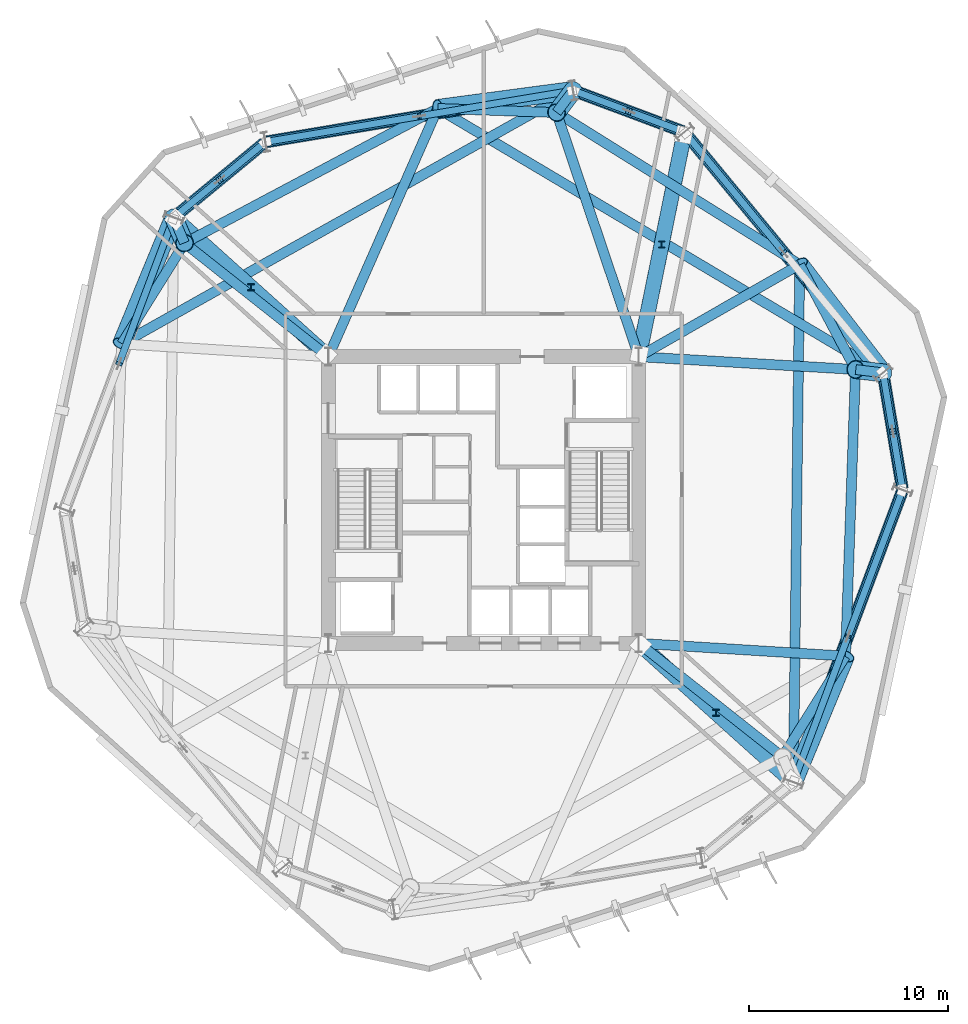
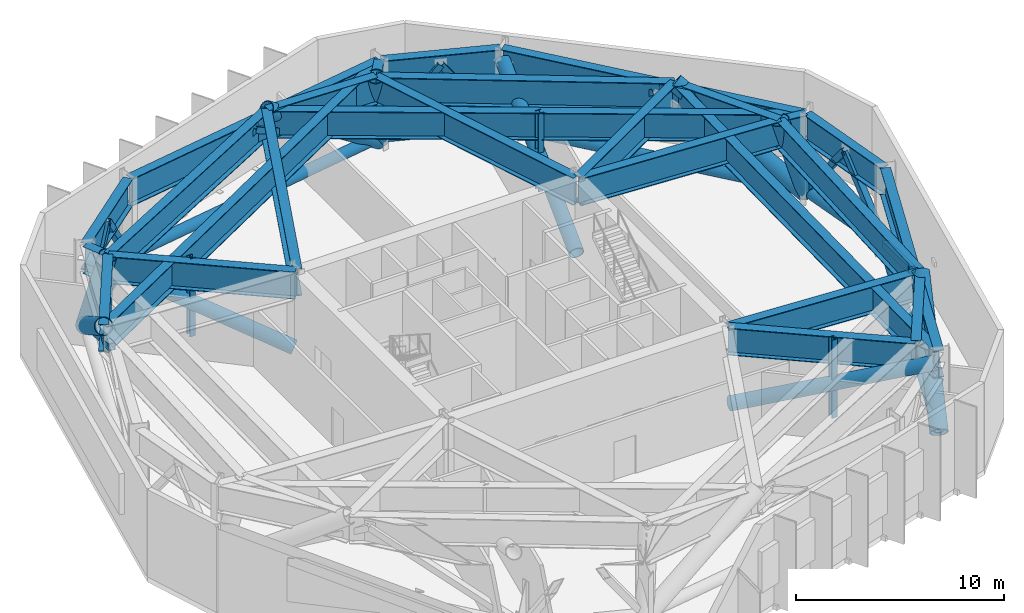
# One storey, part 2 of 12: 31 members, 26 beams.
"""IFC4 building model written with IfcOpenShell, lengths in metres."""

from ifc_helpers import new_model, si_unit, direction, frame, origin, origin_2d, place, context, subcontext, project, spatial, hollow_rectangle, hollow_circle, i_section, extrude, material, material_profile, profile_set, type_object, element, save


model = new_model("IFC4")

# Units and contexts
model_context = context("Model", 3, precision=1e-05, world=origin(), true_north=direction((0.0, 1.0)))
body_context = subcontext(model_context, "Body", "Model", "MODEL_VIEW")
ifc_project = project(units=[si_unit("LENGTHUNIT", "METRE"), si_unit("AREAUNIT", "SQUARE_METRE"), si_unit("VOLUMEUNIT", "CUBIC_METRE"), si_unit("PLANEANGLEUNIT", "RADIAN"), si_unit("MASSUNIT", "GRAM", prefix="KILO")], contexts=[model_context])

# Site, building, storey
site_placement = place(None, origin())
site = spatial("IfcSite", under=ifc_project, at=site_placement, CompositionType="ELEMENT")
building_placement = place(site_placement, origin())
building = spatial("IfcBuilding", under=site, at=building_placement, Name="Kranzbogen Civic Tower", CompositionType="ELEMENT")
storey_placement = place(building_placement, frame((0.0, 0.0, 92.0)))
storey = spatial("IfcBuildingStorey", under=building, at=storey_placement, Name="L22", CompositionType="ELEMENT", Elevation=92.0)

# Members
ifc_material_1 = material(Name="Steel S355", Category="steel")
ifc_material_profile_1 = material_profile(ifc_material_1, hollow_circle(Radius=0.304931640625, WallThickness=0.030029296875, at=origin_2d()), Name="CHS 610x30")
ifc_profile_set_1 = profile_set([ifc_material_profile_1], Name="Steel S355")
member_type_1 = type_object("IfcMemberType", Name="Belt Truss Bottom Chord CHS 610x30", PredefinedType="CHORD", material=ifc_profile_set_1)
member_1_placement = place(storey_placement, frame((40.594970703125, 10.885986328125, 0.550048828125), z_axis=(0.350190480127, 0.936678508149, 0.0), x_axis=(-0.936678508149, 0.350190480127, 0.0)))
element("IfcMember", 1, at=member_1_placement, inside=storey, type_object=member_type_1, Name="RNG-1: L22 belt truss bottom chord 06", PredefinedType="CHORD", context=body_context, shape_type="SweptSolid", body=[
    extrude(hollow_circle(Radius=0.304931640625, WallThickness=0.030029296875, at=origin_2d()), origin(), (0.0, 0.0, 1.0), 15.517578125),
])
member_2_placement = place(storey_placement, frame((46.0439453125, 25.574951171875, 0.550048828125), z_axis=(-0.165012062513, 0.986291548795, 0.0), x_axis=(-0.986291548795, -0.165012062513, 0.0)))
element("IfcMember", 2, at=member_2_placement, inside=storey, type_object=member_type_1, Name="RNG-1: L22 belt truss bottom chord 07", PredefinedType="CHORD", context=body_context, shape_type="SweptSolid", body=[
    extrude(hollow_circle(Radius=0.304931640625, WallThickness=0.030029296875, at=origin_2d()), origin(), (0.0, 0.0, 1.0), 5.8115234375),
])
member_3_placement = place(storey_placement, frame((45.02099609375, 31.447998046875, 0.550048828125), z_axis=(-0.636093185321, 0.771612246914, 0.0), x_axis=(-0.771612246914, -0.636093185321, 0.0)))
element("IfcMember", 3, at=member_3_placement, inside=storey, type_object=member_type_1, Name="RNG-1: L22 belt truss bottom chord 08", PredefinedType="CHORD", context=body_context, shape_type="SweptSolid", body=[
    extrude(hollow_circle(Radius=0.304931640625, WallThickness=0.030029296875, at=origin_2d()), origin(), (0.0, 0.0, 1.0), 15.518310546875),
])
member_4_placement = place(storey_placement, frame((35.02392578125, 43.511962890625, 0.550048828125), z_axis=(-0.936629200045, 0.350322339599, 0.0), x_axis=(-0.350322339599, -0.936629200045, 0.0)))
element("IfcMember", 4, at=member_4_placement, inside=storey, type_object=member_type_1, Name="RNG-1: L22 belt truss bottom chord 09", PredefinedType="CHORD", context=body_context, shape_type="SweptSolid", body=[
    extrude(hollow_circle(Radius=0.304931640625, WallThickness=0.030029296875, at=origin_2d()), origin(), (0.0, 0.0, 1.0), 5.812255859375),
])
member_5_placement = place(storey_placement, frame((29.426025390625, 45.56298828125, 0.550048828125), z_axis=(-0.986276740958, -0.165100545863, 0.0), x_axis=(0.165100545863, -0.986276740958, 0.0)))
element("IfcMember", 5, at=member_5_placement, inside=storey, type_object=member_type_1, Name="RNG-1: L22 belt truss bottom chord 10", PredefinedType="CHORD", context=body_context, shape_type="SweptSolid", body=[
    extrude(hollow_circle(Radius=0.304931640625, WallThickness=0.030029296875, at=origin_2d()), origin(), (0.0, 0.0, 1.0), 15.517822265625),
])
member_6_placement = place(storey_placement, frame((13.97998046875, 42.93701171875, 0.550048828125), z_axis=(-0.771625808158, -0.636076734509, 0.0), x_axis=(0.636076734509, -0.771625808158, 0.0)))
element("IfcMember", 6, at=member_6_placement, inside=storey, type_object=member_type_1, Name="RNG-1: L22 belt truss bottom chord 11", PredefinedType="CHORD", context=body_context, shape_type="SweptSolid", body=[
    extrude(hollow_circle(Radius=0.304931640625, WallThickness=0.030029296875, at=origin_2d()), origin(), (0.0, 0.0, 1.0), 5.812255859375),
])
ifc_material_2 = material(Name="Steel S460", Category="steel")
ifc_material_profile_2 = material_profile(ifc_material_2, hollow_circle(Radius=0.381103515625, WallThickness=0.031982421875, at=origin_2d()), Name="CHS 762x32")
ifc_profile_set_2 = profile_set([ifc_material_profile_2], Name="Steel S460")
member_type_2 = type_object("IfcMemberType", Name="Outrigger Truss Chord CHS 762x32", PredefinedType="CHORD", material=ifc_profile_set_2)
member_7_placement = place(storey_placement, frame((32.912109375, 17.699951171875, 0.550048828125), z_axis=(0.694036652822, -0.624668929365, 0.357913192304), x_axis=(0.668985997489, 0.743275006416, 0.0)))
element("IfcMember", 7, at=member_7_placement, inside=storey, type_object=member_type_2, Name="OUT-1: L22 radial outrigger strut 2", PredefinedType="CHORD", context=body_context, shape_type="SweptSolid", body=[
    extrude(hollow_circle(Radius=0.381103515625, WallThickness=0.031982421875, at=origin_2d()), origin(), (0.0, 0.0, 1.0), 10.8681640625),
])
member_8_placement = place(storey_placement, frame((32.830078125, 32.346923828125, 0.550048828125), z_axis=(0.188609582303, 0.925772581764, 0.327675986788), x_axis=(-0.979871108222, 0.199631188126, 0.0)))
element("IfcMember", 8, at=member_8_placement, inside=storey, type_object=member_type_2, Name="OUT-1: L22 radial outrigger strut 3", PredefinedType="CHORD", context=body_context, shape_type="SweptSolid", body=[
    extrude(hollow_circle(Radius=0.381103515625, WallThickness=0.031982421875, at=origin_2d()), origin(), (0.0, 0.0, 1.0), 11.87109375),
])
member_9_placement = place(storey_placement, frame((17.087890625, 32.300048828125, 0.550048828125), z_axis=(-0.694036652822, 0.624668929365, 0.357913192304), x_axis=(-0.668985997489, -0.743275006416, 0.0)))
element("IfcMember", 9, at=member_9_placement, inside=storey, type_object=member_type_2, Name="OUT-1: L22 radial outrigger strut 4", PredefinedType="CHORD", context=body_context, shape_type="SweptSolid", body=[
    extrude(hollow_circle(Radius=0.381103515625, WallThickness=0.031982421875, at=origin_2d()), origin(), (0.0, 0.0, 1.0), 10.8681640625),
])
ifc_material_profile_3 = material_profile(ifc_material_1, i_section(OverallWidth=0.31005859375, OverallDepth=0.340087890625, WebThickness=0.02099609375, FlangeThickness=0.0390625, at=origin_2d()), Name="HEM 300")
ifc_profile_set_3 = profile_set([ifc_material_profile_3], Name="Steel S355")
member_type_3 = type_object("IfcMemberType", Name="Outrigger Truss Vertical Post HEM 300", PredefinedType="POST", material=ifc_profile_set_3)
for number, where, z_axis, x_axis, name in (
    (10, (36.68310546875, 14.304931640625, 0.550048828125), (0.0, 0.0, 1.0), (1.0, 0.0, 0.0), "PST-3: L22 outrigger web post 2"),
    (11, (33.949951171875, 37.842041015625, 0.550048828125), (0.0, 0.0, 1.0), (1.0, 0.0, 0.0), "PST-3: L22 outrigger web post 3"),
    (12, (13.31689453125, 35.694091796875, 0.550048828125), (0.0, 0.0, 1.0), (1.0, 0.0, 0.0), "PST-3: L22 outrigger web post 4"),
):
    element("IfcMember", number, at=place(storey_placement, frame(where, z_axis=z_axis, x_axis=x_axis)), inside=storey, type_object=member_type_3, Name=name, PredefinedType="POST", context=body_context, shape_type="SweptSolid", body=[
        extrude(i_section(OverallWidth=0.31005859375, OverallDepth=0.340087890625, WebThickness=0.02099609375, FlangeThickness=0.0390625, at=origin_2d()), origin(), (0.0, 0.0, 1.0), 4.58984375),
    ])
ifc_material_profile_4 = material_profile(ifc_material_2, hollow_circle(Radius=0.45703125, WallThickness=0.035888671875, at=origin_2d()), Name="CHS 914x36")
ifc_profile_set_4 = profile_set([ifc_material_profile_4], Name="Steel S460")
member_type_4 = type_object("IfcMemberType", Name="Portal Arch Thrust Strut CHS 914x36", PredefinedType="STRUT", material=ifc_profile_set_4)
member_10_placement = place(storey_placement, frame((40.56689453125, 10.81103515625, 0.35009765625), z_axis=(0.315152900867, 0.763185682132, 0.564115470151), x_axis=(-0.924293886628, 0.381681557247, 0.0)))
element("IfcMember", 13, at=member_10_placement, inside=storey, type_object=member_type_4, Name="STR-1: L22 inclined perimeter transfer strut 06", PredefinedType="STRUT", context=body_context, shape_type="SweptSolid", body=[
    extrude(hollow_circle(Radius=0.45703125, WallThickness=0.035888671875, at=origin_2d()), origin(), (0.0, 0.0, 1.0), 8.313720703125),
])
member_11_placement = place(storey_placement, frame((45.072021484375, 31.385986328125, 0.35009765625), z_axis=(-0.282501266779, 0.034732535184, 0.958637932312), x_axis=(-0.122027659988, -0.992526699992, 0.0)))
element("IfcMember", 14, at=member_11_placement, inside=storey, type_object=member_type_4, Name="STR-1: L22 inclined perimeter transfer strut 07", PredefinedType="STRUT", context=body_context, shape_type="SweptSolid", body=[
    extrude(hollow_circle(Radius=0.45703125, WallThickness=0.035888671875, at=origin_2d()), origin(), (0.0, 0.0, 1.0), 4.892333984375),
])
member_12_placement = place(storey_placement, frame((45.072021484375, 31.385986328125, 0.35009765625), z_axis=(-0.503407307843, 0.654582172423, 0.564006437867), x_axis=(-0.792692714402, -0.609621407542, 0.0)))
element("IfcMember", 15, at=member_12_placement, inside=storey, type_object=member_type_4, Name="STR-1: L22 inclined perimeter transfer strut 08", PredefinedType="STRUT", context=body_context, shape_type="SweptSolid", body=[
    extrude(hollow_circle(Radius=0.45703125, WallThickness=0.035888671875, at=origin_2d()), origin(), (0.0, 0.0, 1.0), 8.3154296875),
])
member_13_placement = place(storey_placement, frame((29.5048828125, 45.575927734375, 0.35009765625), z_axis=(-0.171076500815, -0.227270240582, 0.958687158887), x_axis=(0.798946138896, -0.601402583253, 0.0)))
element("IfcMember", 16, at=member_13_placement, inside=storey, type_object=member_type_4, Name="STR-1: L22 inclined perimeter transfer strut 09", PredefinedType="STRUT", context=body_context, shape_type="SweptSolid", body=[
    extrude(hollow_circle(Radius=0.45703125, WallThickness=0.035888671875, at=origin_2d()), origin(), (0.0, 0.0, 1.0), 4.89208984375),
])
member_14_placement = place(storey_placement, frame((29.5048828125, 45.575927734375, 0.35009765625), z_axis=(-0.818547699312, -0.108701208267, 0.564060024529), x_axis=(0.131641952697, -0.991297329912, 0.0)))
element("IfcMember", 17, at=member_14_placement, inside=storey, type_object=member_type_4, Name="STR-1: L22 inclined perimeter transfer strut 10", PredefinedType="STRUT", context=body_context, shape_type="SweptSolid", body=[
    extrude(hollow_circle(Radius=0.45703125, WallThickness=0.035888671875, at=origin_2d()), origin(), (0.0, 0.0, 1.0), 8.314697265625),
])
member_15_placement = place(storey_placement, frame((9.43310546875, 39.18896484375, 0.35009765625), z_axis=(0.111189066911, -0.261853246894, 0.958681317483), x_axis=(0.920455591594, 0.39084716182, 0.0)))
element("IfcMember", 18, at=member_15_placement, inside=storey, type_object=member_type_4, Name="STR-1: L22 inclined perimeter transfer strut 11", PredefinedType="STRUT", context=body_context, shape_type="SweptSolid", body=[
    extrude(hollow_circle(Radius=0.45703125, WallThickness=0.035888671875, at=origin_2d()), origin(), (0.0, 0.0, 1.0), 4.89208984375),
])
member_16_placement = place(storey_placement, frame((9.43310546875, 39.18896484375, 0.35009765625), z_axis=(-0.315152900867, -0.763185682132, 0.564115470151), x_axis=(0.924293886628, -0.381681557247, 0.0)))
element("IfcMember", 19, at=member_16_placement, inside=storey, type_object=member_type_4, Name="STR-1: L22 inclined perimeter transfer strut 12", PredefinedType="STRUT", context=body_context, shape_type="SweptSolid", body=[
    extrude(hollow_circle(Radius=0.45703125, WallThickness=0.035888671875, at=origin_2d()), origin(), (0.0, 0.0, 1.0), 8.313720703125),
])

# Beams
ifc_material_profile_5 = material_profile(ifc_material_2, i_section(OverallWidth=0.5, OverallDepth=1.60009765625, WebThickness=0.02587890625, FlangeThickness=0.0400390625, at=origin_2d()), Name="WPG 1600x500x26x40")
ifc_profile_set_5 = profile_set([ifc_material_profile_5], Name="Steel S460")
beam_type = type_object("IfcBeamType", Name="Welded Transfer Girder WPG 1600x500x26x40", PredefinedType="BEAM", material=ifc_profile_set_5)
beam_1_placement = place(storey_placement, frame((40.587890625, 10.866943359375, 4.330078125), z_axis=(0.350172267932, 0.936685316833, 0.0), x_axis=(-0.936685316833, 0.350172267932, 0.0)))
element("IfcBeam", 20, at=beam_1_placement, inside=storey, type_object=beam_type, Name="TG-1600: L22 lower perimeter transfer ring girder 06", PredefinedType="BEAM", context=body_context, shape_type="SweptSolid", body=[
    extrude(i_section(OverallWidth=0.5, OverallDepth=1.60009765625, WebThickness=0.02587890625, FlangeThickness=0.0400390625, at=origin_2d()), origin(), (0.0, 0.0, 1.0), 15.55810546875),
])
beam_2_placement = place(storey_placement, frame((46.047119140625, 25.554931640625, 4.330078125), z_axis=(-0.164913116942, 0.986308097838, 0.0), x_axis=(-0.986308097838, -0.164913116942, 0.0)))
element("IfcBeam", 21, at=beam_2_placement, inside=storey, type_object=beam_type, Name="TG-1600: L22 lower perimeter transfer ring girder 07", PredefinedType="BEAM", context=body_context, shape_type="SweptSolid", body=[
    extrude(i_section(OverallWidth=0.5, OverallDepth=1.60009765625, WebThickness=0.02587890625, FlangeThickness=0.0400390625, at=origin_2d()), origin(), (0.0, 0.0, 1.0), 5.85205078125),
])
beam_3_placement = place(storey_placement, frame((45.033935546875, 31.431884765625, 4.330078125), z_axis=(-0.636074572579, 0.771627590304, 0.0), x_axis=(-0.771627590304, -0.636074572579, 0.0)))
element("IfcBeam", 22, at=beam_3_placement, inside=storey, type_object=beam_type, Name="TG-1600: L22 lower perimeter transfer ring girder 08", PredefinedType="BEAM", context=body_context, shape_type="SweptSolid", body=[
    extrude(i_section(OverallWidth=0.5, OverallDepth=1.60009765625, WebThickness=0.02587890625, FlangeThickness=0.0400390625, at=origin_2d()), origin(), (0.0, 0.0, 1.0), 15.5595703125),
])
beam_4_placement = place(storey_placement, frame((35.04296875, 43.5048828125, 4.330078125), z_axis=(-0.936647646965, 0.350273015568, 0.0), x_axis=(-0.350273015568, -0.936647646965, 0.0)))
element("IfcBeam", 23, at=beam_4_placement, inside=storey, type_object=beam_type, Name="TG-1600: L22 lower perimeter transfer ring girder 09", PredefinedType="BEAM", context=body_context, shape_type="SweptSolid", body=[
    extrude(i_section(OverallWidth=0.5, OverallDepth=1.60009765625, WebThickness=0.02587890625, FlangeThickness=0.0400390625, at=origin_2d()), origin(), (0.0, 0.0, 1.0), 5.852783203125),
])
beam_5_placement = place(storey_placement, frame((29.446044921875, 45.56591796875, 4.330078125), z_axis=(-0.986285563243, -0.165047834697, 0.0), x_axis=(0.165047834697, -0.986285563243, 0.0)))
element("IfcBeam", 24, at=beam_5_placement, inside=storey, type_object=beam_type, Name="TG-1600: L22 lower perimeter transfer ring girder 10", PredefinedType="BEAM", context=body_context, shape_type="SweptSolid", body=[
    extrude(i_section(OverallWidth=0.5, OverallDepth=1.60009765625, WebThickness=0.02587890625, FlangeThickness=0.0400390625, at=origin_2d()), origin(), (0.0, 0.0, 1.0), 15.558349609375),
])
beam_6_placement = place(storey_placement, frame((13.99609375, 42.949951171875, 4.330078125), z_axis=(-0.77168336865, -0.636006901337, 0.0), x_axis=(0.636006901337, -0.77168336865, 0.0)))
element("IfcBeam", 25, at=beam_6_placement, inside=storey, type_object=beam_type, Name="TG-1600: L22 lower perimeter transfer ring girder 11", PredefinedType="BEAM", context=body_context, shape_type="SweptSolid", body=[
    extrude(i_section(OverallWidth=0.5, OverallDepth=1.60009765625, WebThickness=0.02587890625, FlangeThickness=0.0400390625, at=origin_2d()), origin(), (0.0, 0.0, 1.0), 5.853515625),
])
beam_7_placement = place(storey_placement, frame((40.031005859375, 12.10498046875, 4.340087890625), z_axis=(0.529895502713, 0.848062943539, 0.0), x_axis=(-0.848062943539, 0.529895502713, 0.0)))
element("IfcBeam", 26, at=beam_7_placement, inside=storey, type_object=beam_type, Name="TG-1600: L22 upper perimeter transfer ring girder 05", PredefinedType="BEAM", context=body_context, shape_type="SweptSolid", body=[
    extrude(i_section(OverallWidth=0.5, OverallDepth=1.60009765625, WebThickness=0.02587890625, FlangeThickness=0.0400390625, at=origin_2d()), origin(), (0.0, 0.0, 1.0), 5.940673828125),
])
beam_8_placement = place(storey_placement, frame((43.18798828125, 17.1708984375, 4.340087890625), z_axis=(0.034841218987, 0.999392860421, 0.0), x_axis=(-0.999392860421, 0.034841218987, 0.0)))
element("IfcBeam", 27, at=beam_8_placement, inside=storey, type_object=beam_type, Name="TG-1600: L22 upper perimeter transfer ring girder 06", PredefinedType="BEAM", context=body_context, shape_type="SweptSolid", body=[
    extrude(i_section(OverallWidth=0.5, OverallDepth=1.60009765625, WebThickness=0.02587890625, FlangeThickness=0.0400390625, at=origin_2d()), origin(), (0.0, 0.0, 1.0), 14.37890625),
])
beam_9_placement = place(storey_placement, frame((43.68310546875, 31.569091796875, 4.340087890625), z_axis=(-0.46950463544, 0.882930007022, 0.0), x_axis=(-0.882930007022, -0.46950463544, 0.0)))
element("IfcBeam", 28, at=beam_9_placement, inside=storey, type_object=beam_type, Name="TG-1600: L22 upper perimeter transfer ring girder 07", PredefinedType="BEAM", context=body_context, shape_type="SweptSolid", body=[
    extrude(i_section(OverallWidth=0.5, OverallDepth=1.60009765625, WebThickness=0.02587890625, FlangeThickness=0.0400390625, at=origin_2d()), origin(), (0.0, 0.0, 1.0), 5.942626953125),
])
beam_10_placement = place(storey_placement, frame((40.873046875, 36.8369140625, 4.340087890625), z_axis=(-0.848027876815, 0.52995162057, 0.0), x_axis=(-0.52995162057, -0.848027876815, 0.0)))
element("IfcBeam", 29, at=beam_10_placement, inside=storey, type_object=beam_type, Name="TG-1600: L22 upper perimeter transfer ring girder 08", PredefinedType="BEAM", context=body_context, shape_type="SweptSolid", body=[
    extrude(i_section(OverallWidth=0.5, OverallDepth=1.60009765625, WebThickness=0.02587890625, FlangeThickness=0.0400390625, at=origin_2d()), origin(), (0.0, 0.0, 1.0), 14.376953125),
])
beam_11_placement = place(storey_placement, frame((28.653076171875, 44.465087890625, 4.340087890625), z_axis=(-0.999400080747, 0.034633489602, 0.0), x_axis=(-0.034633489602, -0.999400080747, 0.0)))
element("IfcBeam", 30, at=beam_11_placement, inside=storey, type_object=beam_type, Name="TG-1600: L22 upper perimeter transfer ring girder 09", PredefinedType="BEAM", context=body_context, shape_type="SweptSolid", body=[
    extrude(i_section(OverallWidth=0.5, OverallDepth=1.60009765625, WebThickness=0.02587890625, FlangeThickness=0.0400390625, at=origin_2d()), origin(), (0.0, 0.0, 1.0), 5.942626953125),
])
beam_12_placement = place(storey_placement, frame((22.68603515625, 44.6650390625, 4.340087890625), z_axis=(-0.882965086127, -0.469438661255, 0.0), x_axis=(0.469438661255, -0.882965086127, 0.0)))
element("IfcBeam", 31, at=beam_12_placement, inside=storey, type_object=beam_type, Name="TG-1600: L22 upper perimeter transfer ring girder 10", PredefinedType="BEAM", context=body_context, shape_type="SweptSolid", body=[
    extrude(i_section(OverallWidth=0.5, OverallDepth=1.60009765625, WebThickness=0.02587890625, FlangeThickness=0.0400390625, at=origin_2d()), origin(), (0.0, 0.0, 1.0), 14.37890625),
])
beam_13_placement = place(storey_placement, frame((9.968994140625, 37.89501953125, 4.340087890625), z_axis=(-0.529895502713, -0.848062943539, 0.0), x_axis=(0.848062943539, -0.529895502713, 0.0)))
element("IfcBeam", 32, at=beam_13_placement, inside=storey, type_object=beam_type, Name="TG-1600: L22 upper perimeter transfer ring girder 11", PredefinedType="BEAM", context=body_context, shape_type="SweptSolid", body=[
    extrude(i_section(OverallWidth=0.5, OverallDepth=1.60009765625, WebThickness=0.02587890625, FlangeThickness=0.0400390625, at=origin_2d()), origin(), (0.0, 0.0, 1.0), 5.940673828125),
])
beam_14_placement = place(storey_placement, frame((32.846923828125, 17.762939453125, 4.340087890625), z_axis=(0.784561682971, -0.620050776642, 0.0), x_axis=(0.620050776642, 0.784561682971, 0.0)))
element("IfcBeam", 33, at=beam_14_placement, inside=storey, type_object=beam_type, Name="TG-1600: L22 radial column transfer girder 05", PredefinedType="BEAM", context=body_context, shape_type="SweptSolid", body=[
    extrude(i_section(OverallWidth=0.5, OverallDepth=1.60009765625, WebThickness=0.02587890625, FlangeThickness=0.0400390625, at=origin_2d()), origin(), (0.0, 0.0, 1.0), 9.13134765625),
])
beam_15_placement = place(storey_placement, frame((32.860107421875, 17.7958984375, 4.340087890625), z_axis=(0.998086085379, -0.061839842924, 0.0), x_axis=(0.061839842924, 0.998086085379, 0.0)))
element("IfcBeam", 34, at=beam_15_placement, inside=storey, type_object=beam_type, Name="TG-1600: L22 radial column transfer girder 06", PredefinedType="BEAM", context=body_context, shape_type="SweptSolid", body=[
    extrude(i_section(OverallWidth=0.5, OverallDepth=1.60009765625, WebThickness=0.02587890625, FlangeThickness=0.0400390625, at=origin_2d()), origin(), (0.0, 0.0, 1.0), 10.331787109375),
])
beam_16_placement = place(storey_placement, frame((32.860107421875, 32.196044921875, 4.340087890625), z_axis=(0.998258172281, -0.058996792068, 0.0), x_axis=(0.058996792068, 0.998258172281, 0.0)))
element("IfcBeam", 35, at=beam_16_placement, inside=storey, type_object=beam_type, Name="TG-1600: L22 radial column transfer girder 07", PredefinedType="BEAM", context=body_context, shape_type="SweptSolid", body=[
    extrude(i_section(OverallWidth=0.5, OverallDepth=1.60009765625, WebThickness=0.02587890625, FlangeThickness=0.0400390625, at=origin_2d()), origin(), (0.0, 0.0, 1.0), 10.833740234375),
])
beam_17_placement = place(storey_placement, frame((45.02197265625, 31.39208984375, 4.330078125), z_axis=(-0.992530561469, 0.1219962481, 0.0), x_axis=(-0.1219962481, -0.992530561469, 0.0)))
element("IfcBeam", 36, at=beam_17_placement, inside=storey, type_object=beam_type, Name="TG-1600: L22 perimeter column transfer girder 07", PredefinedType="BEAM", context=body_context, shape_type="SweptSolid", body=[
    extrude(i_section(OverallWidth=0.5, OverallDepth=1.60009765625, WebThickness=0.02587890625, FlangeThickness=0.0400390625, at=origin_2d()), origin(), (0.0, 0.0, 1.0), 1.326904296875),
])
beam_18_placement = place(storey_placement, frame((32.85205078125, 32.22998046875, 4.340087890625), z_axis=(0.867841348452, 0.496841417272, 0.0), x_axis=(-0.496841417272, 0.867841348452, 0.0)))
element("IfcBeam", 37, at=beam_18_placement, inside=storey, type_object=beam_type, Name="TG-1600: L22 radial column transfer girder 08", PredefinedType="BEAM", context=body_context, shape_type="SweptSolid", body=[
    extrude(i_section(OverallWidth=0.5, OverallDepth=1.60009765625, WebThickness=0.02587890625, FlangeThickness=0.0400390625, at=origin_2d()), origin(), (0.0, 0.0, 1.0), 9.242431640625),
])
beam_19_placement = place(storey_placement, frame((40.568115234375, 10.861083984375, 4.330078125), z_axis=(0.012247089471, 0.999925001587, 0.0), x_axis=(-0.999925001587, 0.012247089471, 0.0)))
element("IfcBeam", 38, at=beam_19_placement, inside=storey, type_object=beam_type, Name="TG-1600: L22 perimeter column transfer girder 08", PredefinedType="BEAM", context=body_context, shape_type="SweptSolid", body=[
    extrude(i_section(OverallWidth=0.5, OverallDepth=1.60009765625, WebThickness=0.02587890625, FlangeThickness=0.0400390625, at=origin_2d()), origin(), (0.0, 0.0, 1.0), 25.954833984375),
])
beam_20_placement = place(storey_placement, frame((32.781005859375, 32.257080078125, 4.340087890625), z_axis=(-0.319277348638, 0.947661318535, 0.0), x_axis=(-0.947661318535, -0.319277348638, 0.0)))
element("IfcBeam", 39, at=beam_20_placement, inside=storey, type_object=beam_type, Name="TG-1600: L22 radial column transfer girder 09", PredefinedType="BEAM", context=body_context, shape_type="SweptSolid", body=[
    extrude(i_section(OverallWidth=0.5, OverallDepth=1.60009765625, WebThickness=0.02587890625, FlangeThickness=0.0400390625, at=origin_2d()), origin(), (0.0, 0.0, 1.0), 12.8662109375),
])
beam_21_placement = place(storey_placement, frame((29.47509765625, 45.535888671875, 4.330078125), z_axis=(-0.601559342856, -0.798828114817, 0.0), x_axis=(0.798828114817, -0.601559342856, 0.0)))
element("IfcBeam", 40, at=beam_21_placement, inside=storey, type_object=beam_type, Name="TG-1600: L22 perimeter column transfer girder 09", PredefinedType="BEAM", context=body_context, shape_type="SweptSolid", body=[
    extrude(i_section(OverallWidth=0.5, OverallDepth=1.60009765625, WebThickness=0.02587890625, FlangeThickness=0.0400390625, at=origin_2d()), origin(), (0.0, 0.0, 1.0), 1.32666015625),
])
beam_22_placement = place(storey_placement, frame((17.22412109375, 32.2548828125, 4.340087890625), z_axis=(0.403457952598, 0.914998186056, 0.0), x_axis=(-0.914998186056, 0.403457952598, 0.0)))
element("IfcBeam", 41, at=beam_22_placement, inside=storey, type_object=beam_type, Name="TG-1600: L22 radial column transfer girder 10", PredefinedType="BEAM", context=body_context, shape_type="SweptSolid", body=[
    extrude(i_section(OverallWidth=0.5, OverallDepth=1.60009765625, WebThickness=0.02587890625, FlangeThickness=0.0400390625, at=origin_2d()), origin(), (0.0, 0.0, 1.0), 13.555419921875),
])
beam_23_placement = place(storey_placement, frame((45.029052734375, 31.412109375, 4.330078125), z_axis=(-0.859835258342, 0.510571570411, 0.0), x_axis=(-0.510571570411, -0.859835258342, 0.0)))
element("IfcBeam", 42, at=beam_23_placement, inside=storey, type_object=beam_type, Name="TG-1600: L22 perimeter column transfer girder 10", PredefinedType="BEAM", context=body_context, shape_type="SweptSolid", body=[
    extrude(i_section(OverallWidth=0.5, OverallDepth=1.60009765625, WebThickness=0.02587890625, FlangeThickness=0.0400390625, at=origin_2d()), origin(), (0.0, 0.0, 1.0), 25.955078125),
])
beam_24_placement = place(storey_placement, frame((17.153076171875, 32.237060546875, 4.340087890625), z_axis=(-0.784561682971, 0.620050776642, 0.0), x_axis=(-0.620050776642, -0.784561682971, 0.0)))
element("IfcBeam", 43, at=beam_24_placement, inside=storey, type_object=beam_type, Name="TG-1600: L22 radial column transfer girder 11", PredefinedType="BEAM", context=body_context, shape_type="SweptSolid", body=[
    extrude(i_section(OverallWidth=0.5, OverallDepth=1.60009765625, WebThickness=0.02587890625, FlangeThickness=0.0400390625, at=origin_2d()), origin(), (0.0, 0.0, 1.0), 9.13134765625),
])
beam_25_placement = place(storey_placement, frame((9.452880859375, 39.14306640625, 4.330078125), z_axis=(0.390606572646, -0.920557714326, 0.0), x_axis=(0.920557714326, 0.390606572646, 0.0)))
element("IfcBeam", 44, at=beam_25_placement, inside=storey, type_object=beam_type, Name="TG-1600: L22 perimeter column transfer girder 11", PredefinedType="BEAM", context=body_context, shape_type="SweptSolid", body=[
    extrude(i_section(OverallWidth=0.5, OverallDepth=1.60009765625, WebThickness=0.02587890625, FlangeThickness=0.0400390625, at=origin_2d()), origin(), (0.0, 0.0, 1.0), 1.326416015625),
])
beam_26_placement = place(storey_placement, frame((29.4609375, 45.552001953125, 4.330078125), z_axis=(-0.872089781605, -0.489345903039, 0.0), x_axis=(0.489345903039, -0.872089781605, 0.0)))
element("IfcBeam", 45, at=beam_26_placement, inside=storey, type_object=beam_type, Name="TG-1600: L22 perimeter column transfer girder 12", PredefinedType="BEAM", context=body_context, shape_type="SweptSolid", body=[
    extrude(i_section(OverallWidth=0.5, OverallDepth=1.60009765625, WebThickness=0.02587890625, FlangeThickness=0.0400390625, at=origin_2d()), origin(), (0.0, 0.0, 1.0), 25.954833984375),
])

# Members
ifc_material_profile_6 = material_profile(ifc_material_1, hollow_rectangle(XDim=0.35009765625, YDim=0.35009765625, WallThickness=0.02001953125, at=origin_2d()), Name="SHS 350x350x20")
ifc_profile_set_6 = profile_set([ifc_material_profile_6], Name="Steel S355")
member_type_5 = type_object("IfcMemberType", Name="Zone 1 Belt Truss Diagonal SHS 350x350x20", PredefinedType="BRACE", material=ifc_profile_set_6)
member_17_placement = place(storey_placement, frame((40.594970703125, 10.885986328125, 0.64990234375), z_axis=(0.313834435266, 0.83950499936, 0.443553044506), x_axis=(-0.936688154185, 0.35016467813, 0.0)))
element("IfcMember", 46, at=member_17_placement, inside=storey, type_object=member_type_5, Name="DG-350: L22 belt truss diagonal 06A", PredefinedType="BRACE", context=body_context, shape_type="SweptSolid", body=[
    extrude(hollow_rectangle(XDim=0.35009765625, YDim=0.35009765625, WallThickness=0.02001953125, at=origin_2d()), origin(), (0.0, 0.0, 1.0), 8.657470703125),
])
member_18_placement = place(storey_placement, frame((46.029052734375, 25.4208984375, 0.64990234375), z_axis=(-0.313871586991, -0.839463364793, 0.443605552321), x_axis=(0.936668859981, -0.350216285662, 0.0)))
element("IfcMember", 47, at=member_18_placement, inside=storey, type_object=member_type_5, Name="DG-350: L22 belt truss diagonal 06B", PredefinedType="BRACE", context=body_context, shape_type="SweptSolid", body=[
    extrude(hollow_rectangle(XDim=0.35009765625, YDim=0.35009765625, WallThickness=0.02001953125, at=origin_2d()), origin(), (0.0, 0.0, 1.0), 8.656494140625),
])
member_19_placement = place(storey_placement, frame((46.0439453125, 25.574951171875, 0.64990234375), z_axis=(-0.099671097473, 0.595136832776, 0.79741947719), x_axis=(-0.986264188032, -0.165175516967, 0.0)))
element("IfcMember", 48, at=member_19_placement, inside=storey, type_object=member_type_5, Name="DG-350: L22 belt truss diagonal 07A", PredefinedType="BRACE", context=body_context, shape_type="SweptSolid", body=[
    extrude(hollow_rectangle(XDim=0.35009765625, YDim=0.35009765625, WallThickness=0.02001953125, at=origin_2d()), origin(), (0.0, 0.0, 1.0), 4.815673828125),
])
member_20_placement = place(storey_placement, frame((45.0849609375, 31.306884765625, 0.64990234375), z_axis=(0.09947031635, -0.595148849966, 0.797435578934), x_axis=(0.986318883984, 0.164848594461, 0.0)))
element("IfcMember", 49, at=member_20_placement, inside=storey, type_object=member_type_5, Name="DG-350: L22 belt truss diagonal 07B", PredefinedType="BRACE", context=body_context, shape_type="SweptSolid", body=[
    extrude(hollow_rectangle(XDim=0.35009765625, YDim=0.35009765625, WallThickness=0.02001953125, at=origin_2d()), origin(), (0.0, 0.0, 1.0), 4.8154296875),
])
member_21_placement = place(storey_placement, frame((35.14990234375, 43.422119140625, 0.64990234375), z_axis=(0.57005684415, -0.691575343281, 0.443574953084), x_axis=(0.771643134215, 0.636055715656, 0.0)))
element("IfcMember", 50, at=member_21_placement, inside=storey, type_object=member_type_5, Name="DG-350: L22 belt truss diagonal 08B", PredefinedType="BRACE", context=body_context, shape_type="SweptSolid", body=[
    extrude(hollow_rectangle(XDim=0.35009765625, YDim=0.35009765625, WallThickness=0.02001953125, at=origin_2d()), origin(), (0.0, 0.0, 1.0), 8.6572265625),
])
for number, where, z_axis, x_axis, name in (
    (51, (35.02392578125, 43.511962890625, 0.64990234375), (-0.565210964872, 0.211402791597, 0.797399162837), (-0.350322339599, -0.936629200045, 0.0), "DG-350: L22 belt truss diagonal 09A"),
    (52, (29.580078125, 45.548095703125, 0.64990234375), (0.565210964872, -0.211402791597, 0.797399162837), (0.350322339599, 0.936629200045, 0.0), "DG-350: L22 belt truss diagonal 09B"),
):
    element("IfcMember", number, at=place(storey_placement, frame(where, z_axis=z_axis, x_axis=x_axis)), inside=storey, type_object=member_type_5, Name=name, PredefinedType="BRACE", context=body_context, shape_type="SweptSolid", body=[
        extrude(hollow_rectangle(XDim=0.35009765625, YDim=0.35009765625, WallThickness=0.02001953125, at=origin_2d()), origin(), (0.0, 0.0, 1.0), 4.815673828125),
    ])
member_22_placement = place(storey_placement, frame((29.426025390625, 45.56298828125, 0.64990234375), z_axis=(-0.883955580725, -0.147960408717, 0.443542837567), x_axis=(0.165087737562, -0.986278884954, 0.0)))
element("IfcMember", 53, at=member_22_placement, inside=storey, type_object=member_type_5, Name="DG-350: L22 belt truss diagonal 10A", PredefinedType="BRACE", context=body_context, shape_type="SweptSolid", body=[
    extrude(hollow_rectangle(XDim=0.35009765625, YDim=0.35009765625, WallThickness=0.02001953125, at=origin_2d()), origin(), (0.0, 0.0, 1.0), 8.65771484375),
])
member_23_placement = place(storey_placement, frame((14.12109375, 43.0009765625, 0.64990234375), z_axis=(0.883924750224, 0.147978851523, 0.443598123804), x_axis=(-0.165113356124, 0.986274596464, 0.0)))
element("IfcMember", 54, at=member_23_placement, inside=storey, type_object=member_type_5, Name="DG-350: L22 belt truss diagonal 10B", PredefinedType="BRACE", context=body_context, shape_type="SweptSolid", body=[
    extrude(hollow_rectangle(XDim=0.35009765625, YDim=0.35009765625, WallThickness=0.02001953125, at=origin_2d()), origin(), (0.0, 0.0, 1.0), 8.65673828125),
])
for number, where, z_axis, x_axis, name in (
    (55, (13.97998046875, 42.93701171875, 0.64990234375), (-0.465540094933, -0.383970453993, 0.797395203441), (0.636284225722, -0.771454719409, 0.0), "DG-350: L22 belt truss diagonal 11A"),
    (56, (9.4951171875, 39.239990234375, 0.64990234375), (0.465744216022, 0.383718076747, 0.797397493612), (-0.635869195657, 0.771796842449, 0.0), "DG-350: L22 belt truss diagonal 11B"),
):
    element("IfcMember", number, at=place(storey_placement, frame(where, z_axis=z_axis, x_axis=x_axis)), inside=storey, type_object=member_type_5, Name=name, PredefinedType="BRACE", context=body_context, shape_type="SweptSolid", body=[
        extrude(hollow_rectangle(XDim=0.35009765625, YDim=0.35009765625, WallThickness=0.02001953125, at=origin_2d()), origin(), (0.0, 0.0, 1.0), 4.815673828125),
    ])
member_24_placement = place(storey_placement, frame((9.405029296875, 39.114013671875, 0.64990234375), z_axis=(-0.313834435266, -0.83950499936, 0.443553044506), x_axis=(0.936688154185, -0.35016467813, 0.0)))
element("IfcMember", 57, at=member_24_placement, inside=storey, type_object=member_type_5, Name="DG-350: L22 belt truss diagonal 12A", PredefinedType="BRACE", context=body_context, shape_type="SweptSolid", body=[
    extrude(hollow_rectangle(XDim=0.35009765625, YDim=0.35009765625, WallThickness=0.02001953125, at=origin_2d()), origin(), (0.0, 0.0, 1.0), 8.657470703125),
])

save(model, "model.ifc")
